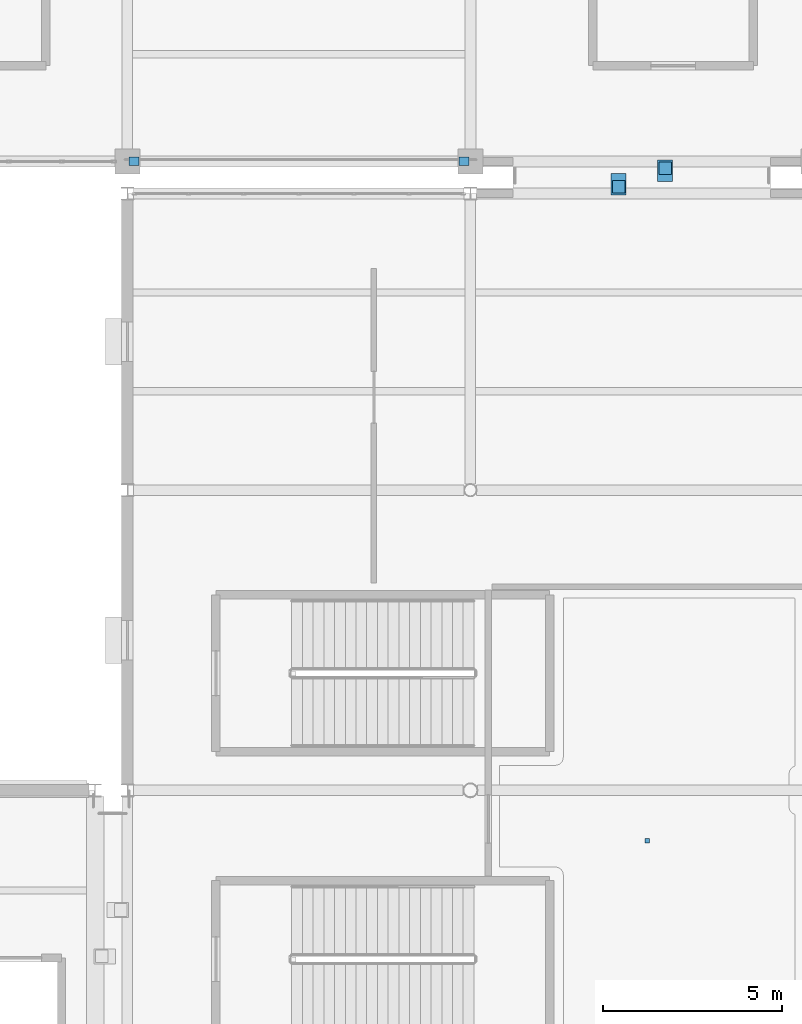
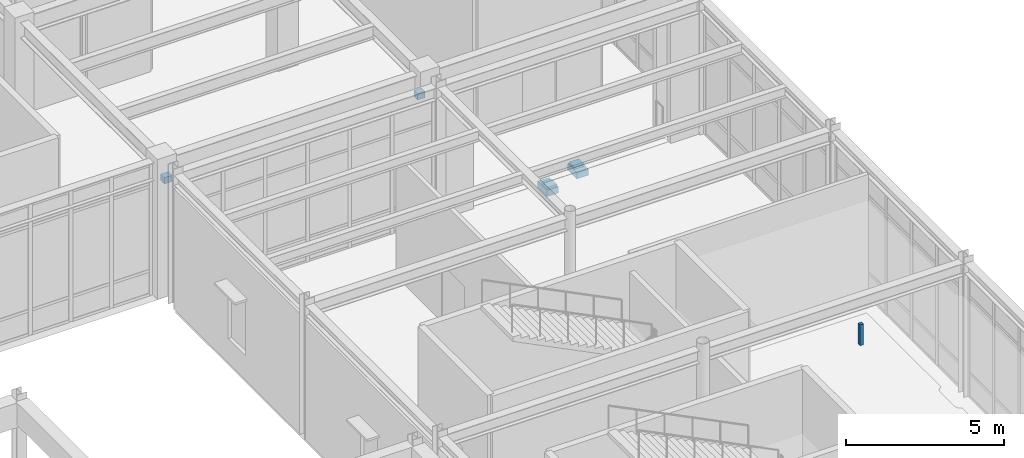
# One storey, part 70 of 80: 7 discrete accessories.
"""IFC4 building model written with IfcOpenShell, lengths in metres."""

from ifc_helpers import new_model, si_unit, direction, frame, origin, origin_2d, place, context, subcontext, project, spatial, rectangle, extrude, material, layer, layer_set, type_object, element, save


model = new_model("IFC4")

# Units and contexts
model_context = context("Model", 3, precision=1e-05, world=origin(), true_north=direction((0.0, 1.0)))
body_context = subcontext(model_context, "Body", "Model", "MODEL_VIEW")
ifc_project = project(units=[si_unit("LENGTHUNIT", "METRE"), si_unit("AREAUNIT", "SQUARE_METRE"), si_unit("VOLUMEUNIT", "CUBIC_METRE"), si_unit("PLANEANGLEUNIT", "RADIAN"), si_unit("MASSUNIT", "GRAM", prefix="KILO")], contexts=[model_context])

# Site, building, storey
site_placement = place(None, origin())
site = spatial("IfcSite", under=ifc_project, at=site_placement, CompositionType="ELEMENT")
building_placement = place(site_placement, origin())
building = spatial("IfcBuilding", under=site, at=building_placement, Name="Canglan Escarpment Cableway Terminal", CompositionType="ELEMENT")
storey_placement = place(building_placement, frame((0.0, 0.0, 19.199951171875)))
storey = spatial("IfcBuildingStorey", under=building, at=storey_placement, Name="L04", CompositionType="ELEMENT", Elevation=19.199951171875)

# Discrete accessories
ifc_material_1 = material(Name="Steel Q355B", Category="steel")
ifc_layer_1 = layer(ifc_material_1, 0.159912109375, Name="Steel Q355B")
ifc_layer_set_1 = layer_set([ifc_layer_1], Name="Steel Q355B")
discrete_accessory_type_1 = type_object("IfcDiscreteAccessoryType", Name="ACC-BRACKET-01", PredefinedType="BRACKET", material=ifc_layer_set_1)
for number, where, z_axis, x_axis, name in (
    (1, (147.3798828125, 34.0, 4.18017578125), (0.0, 0.0, 1.0), (1.0, 0.0, 0.0), "Portal screen mullion bracket BK-01"),
    (2, (156.6201171875, 34.0, 4.18017578125), (0.0, 0.0, 1.0), (1.0, 0.0, 0.0), "Portal screen mullion bracket BK-01"),
):
    element("IfcDiscreteAccessory", number, at=place(storey_placement, frame(where, z_axis=z_axis, x_axis=x_axis)), inside=storey, type_object=discrete_accessory_type_1, Name=name, PredefinedType="BRACKET", context=body_context, shape_type="SweptSolid", body=[
        extrude(rectangle(XDim=0.280029296875, YDim=0.239990234375, at=origin_2d()), origin(), (0.0, 0.0, 1.0), 0.239990234375),
    ])
discrete_accessory_placement = place(storey_placement, frame((161.75, 14.9892578125, 4.3701171875), z_axis=(0.0, 0.0, 1.0), x_axis=(1.0, 0.0, 0.0)))
element("IfcDiscreteAccessory", 3, at=discrete_accessory_placement, inside=storey, type_object=discrete_accessory_type_1, Name="Suspended ceiling hanger bracket BK-01", PredefinedType="BRACKET", context=body_context, shape_type="SweptSolid", body=[
    extrude(rectangle(XDim=0.1201171875, YDim=0.1201171875, at=origin_2d()), origin(), (0.0, 0.0, 1.0), 0.81005859375),
])
ifc_material_2 = material(Name="Concrete C40", Category="concrete")
ifc_layer_2 = layer(ifc_material_2, 0.239990234375, Name="Concrete C40")
ifc_layer_set_2 = layer_set([ifc_layer_2], Name="Concrete C40")
discrete_accessory_type_2 = type_object("IfcDiscreteAccessoryType", Name="ACC-CORBEL-CB01", PredefinedType="BRACKET", material=ifc_layer_set_2)
for number, where, z_axis, x_axis, name in (
    (4, (160.949951171875, 33.364990234375, -0.5400390625), (0.0, 0.0, 1.0), (1.0, 0.0, 0.0), "Concrete C40 movement-joint corbel bearing ledge CB-01"),
    (5, (162.25, 33.735107421875, -0.5400390625), (0.0, 0.0, 1.0), (1.0, 0.0, 0.0), "Concrete C40 movement-joint corbel bearing ledge CB-01"),
):
    element("IfcDiscreteAccessory", number, at=place(storey_placement, frame(where, z_axis=z_axis, x_axis=x_axis)), inside=storey, type_object=discrete_accessory_type_2, Name=name, PredefinedType="BRACKET", context=body_context, shape_type="SweptSolid", body=[
        extrude(rectangle(XDim=0.419921875, YDim=0.60009765625, at=origin_2d()), origin(), (0.0, 0.0, 1.0), 0.239990234375),
    ])
ifc_material_3 = material(Name="Stainless steel and PTFE elastomer", Category="steel")
ifc_layer_3 = layer(ifc_material_3, 0.080078125, Name="Stainless steel and PTFE elastomer")
ifc_layer_set_3 = layer_set([ifc_layer_3], Name="Stainless steel and PTFE elastomer")
discrete_accessory_type_3 = type_object("IfcDiscreteAccessoryType", Name="BRG-SLIDING-MJ01", PredefinedType="USERDEFINED", material=ifc_layer_set_3)
for number, where, z_axis, x_axis, name in (
    (6, (160.949951171875, 33.284912109375, -0.300048828125), (0.0, 0.0, 1.0), (1.0, 0.0, 0.0), "Unguided PTFE-elastomeric sliding bearing pad MJ-01"),
    (7, (162.25, 33.81494140625, -0.300048828125), (0.0, 0.0, 1.0), (1.0, 0.0, 0.0), "Unguided PTFE-elastomeric sliding bearing pad MJ-01"),
):
    element("IfcDiscreteAccessory", number, at=place(storey_placement, frame(where, z_axis=z_axis, x_axis=x_axis)), inside=storey, type_object=discrete_accessory_type_3, Name=name, ObjectType="SLIDING BEARING", PredefinedType="USERDEFINED", context=body_context, shape_type="SweptSolid", body=[
        extrude(rectangle(XDim=0.35009765625, YDim=0.35009765625, at=origin_2d()), origin(), (0.0, 0.0, 1.0), 0.080078125),
    ])

save(model, "model.ifc")
